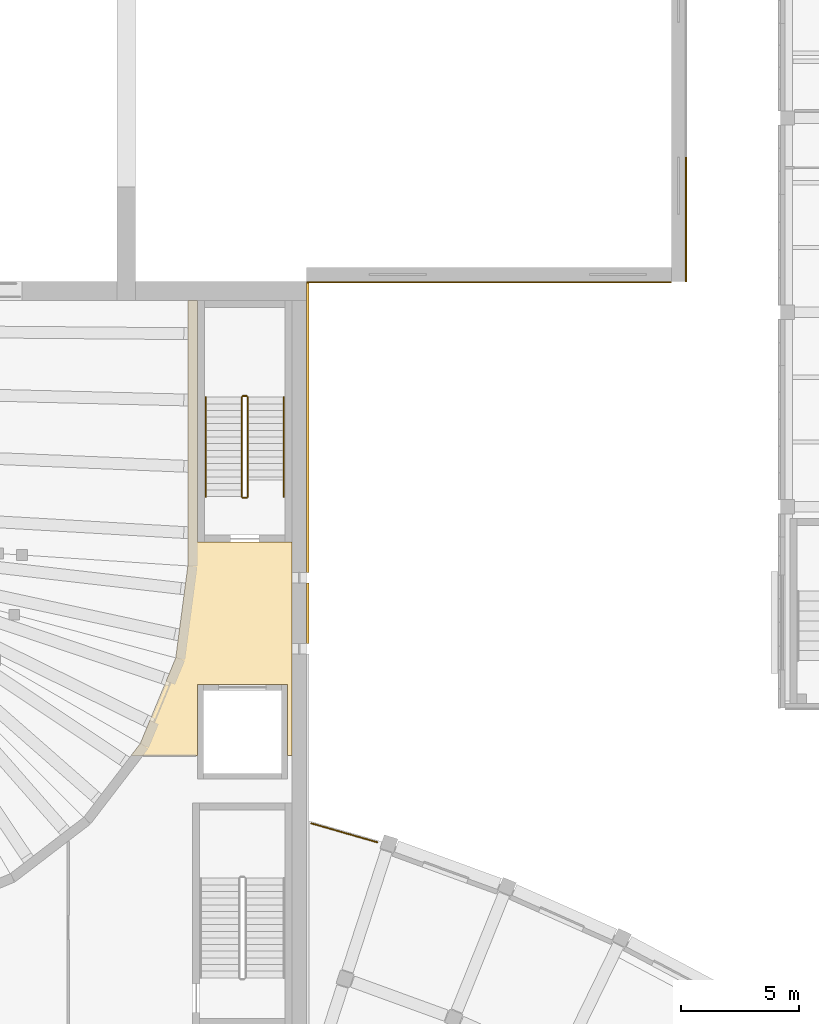
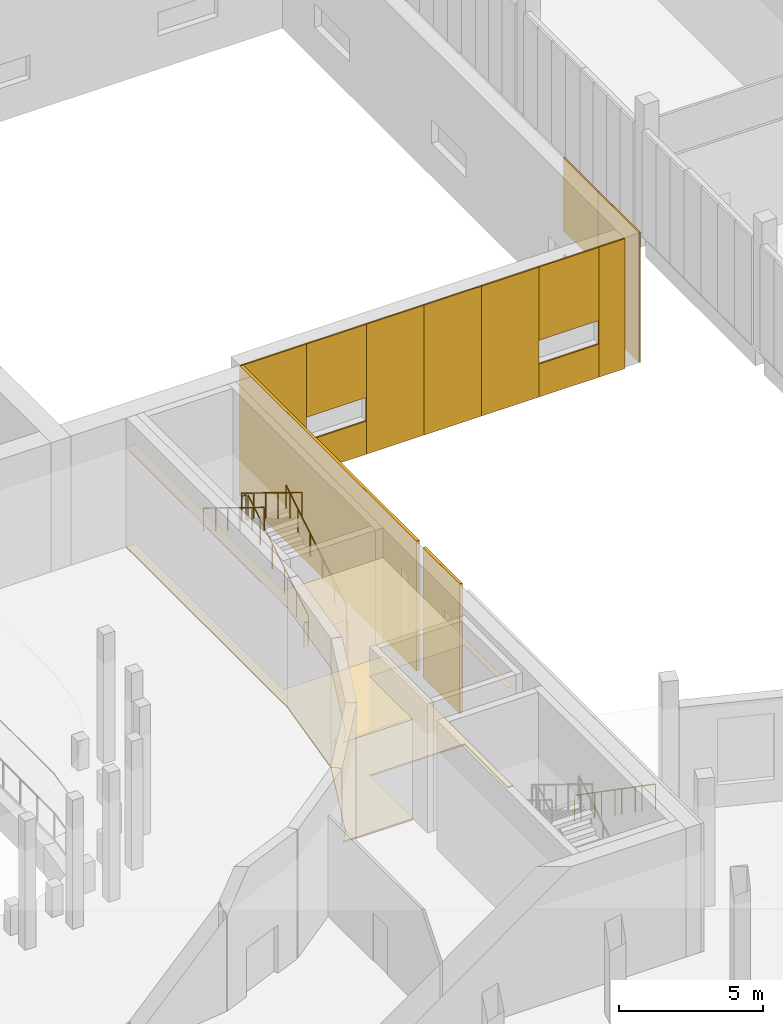
# One storey, part 70 of 87: 16 coverings, 7 railings.
"""IFC4 building model written with IfcOpenShell, lengths in metres."""

from ifc_helpers import new_model, si_unit, direction, frame, origin, origin_2d, place, context, subcontext, project, spatial, polyline, rectangle, circle, outline, extrude, material, layer, layer_set, type_object, element, save


model = new_model("IFC4")

# Units and contexts
model_context = context("Model", 3, precision=1e-05, world=origin(), true_north=direction((0.0, 1.0)))
body_context = subcontext(model_context, "Body", "Model", "MODEL_VIEW")
ifc_project = project(units=[si_unit("LENGTHUNIT", "METRE"), si_unit("AREAUNIT", "SQUARE_METRE"), si_unit("VOLUMEUNIT", "CUBIC_METRE"), si_unit("PLANEANGLEUNIT", "RADIAN"), si_unit("MASSUNIT", "GRAM", prefix="KILO")], contexts=[model_context])

# Site, building, storey
site_placement = place(None, origin())
site = spatial("IfcSite", under=ifc_project, at=site_placement, CompositionType="ELEMENT")
building_placement = place(site_placement, origin())
building = spatial("IfcBuilding", under=site, at=building_placement, Name="Lunette Opera House", CompositionType="ELEMENT")
storey_placement = place(building_placement, frame((0.0, 0.0, 11.5)))
storey = spatial("IfcBuildingStorey", under=building, at=storey_placement, Name="L02", CompositionType="ELEMENT", Elevation=11.5)

# Coverings
ifc_material_1 = material(Name="Clinker brick", Category="masonry")
ifc_layer_1 = layer(ifc_material_1, 0.114990234375)
ifc_layer_set_1 = layer_set([ifc_layer_1], Name="Clinker brick")
covering_type_1 = type_object("IfcCoveringType", Name="CLINKER CLADDING 115", PredefinedType="CLADDING", material=ifc_layer_set_1)
covering_1_placement = place(storey_placement, frame((116.05810546875, 82.0, 0.0), z_axis=(0.0, 0.0, 1.0), x_axis=(1.0, 0.0, 0.0)))
element("IfcCovering", 1, at=covering_1_placement, inside=storey, type_object=covering_type_1, Name="Clinker cladding WE L02 2", PredefinedType="CLADDING", context=body_context, shape_type="SweptSolid", body=[
    extrude(rectangle(XDim=0.114990234375, YDim=2.550048828125, at=origin_2d()), origin(), (0.0, 0.0, 1.0), 5.5),
])
covering_2_placement = place(storey_placement, frame((116.05810546875, 89.862060546875, 0.0), z_axis=(0.0, 0.0, 1.0), x_axis=(1.0, 0.0, 0.0)))
element("IfcCovering", 2, at=covering_2_placement, inside=storey, type_object=covering_type_1, Name="Clinker cladding WE L02 3", PredefinedType="CLADDING", context=body_context, shape_type="SweptSolid", body=[
    extrude(rectangle(XDim=0.114990234375, YDim=12.27490234375, at=origin_2d()), origin(), (0.0, 0.0, 1.0), 5.5),
])

# Railings
ifc_material_2 = material(Name="Steel S355", Category="steel")
railing_type_1 = type_object("IfcRailingType", Name="DECK GUARD 1100", PredefinedType="GUARDRAIL", material=ifc_material_2)
railing_1_placement = place(storey_placement, frame((118.998046875, 72.3359375, 0.0)))
element("IfcRailing", 3, at=railing_1_placement, inside=storey, type_object=railing_type_1, Name="Deck guard 019", PredefinedType="GUARDRAIL", context=body_context, shape_type="SweptSolid", body=[
    extrude(circle(Radius=0.02392578125, at=origin_2d()), frame((0.0, 0.0, 1.076171875), z_axis=(-0.960738135556, 0.277456726155, 0.0), x_axis=(-0.277456726155, -0.960738135556, 0.0)), (0.0, 0.0, 1.0), 0.483154296875),
    extrude(circle(Radius=0.02392578125, at=origin_2d()), frame((-0.464111328125, 0.134033203125, 1.076171875), z_axis=(-0.962206045824, 0.272322465799, 0.0), x_axis=(-0.272322465799, -0.962206045824, 0.0)), (0.0, 0.0, 1.0), 0.241943359375),
    extrude(circle(Radius=0.02392578125, at=origin_2d()), frame((-0.697021484375, 0.199951171875, 1.076171875), z_axis=(-0.960738135556, 0.277456726155, 0.0), x_axis=(-0.277456726155, -0.960738135556, 0.0)), (0.0, 0.0, 1.0), 0.483154296875),
    extrude(circle(Radius=0.02392578125, at=origin_2d()), frame((-1.1611328125, 0.333984375, 1.076171875), z_axis=(-0.961941381411, 0.273255885076, 0.0), x_axis=(-0.273255885076, -0.961941381411, 0.0)), (0.0, 0.0, 1.0), 0.2421875),
    extrude(circle(Radius=0.02392578125, at=origin_2d()), frame((-1.39404296875, 0.400146484375, 1.076171875), z_axis=(-0.960738135556, 0.277456726155, 0.0), x_axis=(-0.277456726155, -0.960738135556, 0.0)), (0.0, 0.0, 1.0), 0.483154296875),
    extrude(circle(Radius=0.02392578125, at=origin_2d()), frame((-1.858154296875, 0.5341796875, 1.076171875), z_axis=(-0.962206045824, 0.272322465799, 0.0), x_axis=(-0.272322465799, -0.962206045824, 0.0)), (0.0, 0.0, 1.0), 0.241943359375),
    extrude(circle(Radius=0.02392578125, at=origin_2d()), frame((-2.091064453125, 0.60009765625, 1.076171875), z_axis=(-0.960699201485, 0.277591506113, 0.0), x_axis=(-0.277591506113, -0.960699201485, 0.0)), (0.0, 0.0, 1.0), 0.48291015625),
    extrude(circle(Radius=0.02392578125, at=origin_2d()), frame((-2.554931640625, 0.734130859375, 1.076171875), z_axis=(-0.962280734503, 0.272058427556, 0.0), x_axis=(-0.272058427556, -0.962280734503, 0.0)), (0.0, 0.0, 1.0), 0.2421875),
    extrude(circle(Radius=0.02099609375, at=origin_2d()), origin(), (0.0, 0.0, 1.0), 1.052001953125),
    extrude(circle(Radius=0.02099609375, at=origin_2d()), frame((-0.464111328125, 0.134033203125, 0.0)), (0.0, 0.0, 1.0), 1.052001953125),
    extrude(circle(Radius=0.02099609375, at=origin_2d()), frame((-0.697021484375, 0.199951171875, 0.0)), (0.0, 0.0, 1.0), 1.052001953125),
    extrude(circle(Radius=0.02099609375, at=origin_2d()), frame((-1.1611328125, 0.333984375, 0.0)), (0.0, 0.0, 1.0), 1.052001953125),
    extrude(circle(Radius=0.02099609375, at=origin_2d()), frame((-1.39404296875, 0.400146484375, 0.0)), (0.0, 0.0, 1.0), 1.052001953125),
    extrude(circle(Radius=0.02099609375, at=origin_2d()), frame((-1.858154296875, 0.5341796875, 0.0)), (0.0, 0.0, 1.0), 1.052001953125),
    extrude(circle(Radius=0.02099609375, at=origin_2d()), frame((-2.091064453125, 0.60009765625, 0.0)), (0.0, 0.0, 1.0), 1.052001953125),
    extrude(circle(Radius=0.02099609375, at=origin_2d()), frame((-2.554931640625, 0.734130859375, 0.0)), (0.0, 0.0, 1.0), 1.052001953125),
    extrude(circle(Radius=0.02099609375, at=origin_2d()), frame((-2.7880859375, 0.800048828125, 0.0)), (0.0, 0.0, 1.0), 1.052001953125),
])
ifc_material_3 = material(Name="Steel S355", Category="steel")
railing_type_2 = type_object("IfcRailingType", Name="STAIR GUARD 1100", PredefinedType="GUARDRAIL", material=ifc_material_3)
railing_2_placement = place(storey_placement, frame((113.530029296875, 86.919921875, 0.171875)))
element("IfcRailing", 4, at=railing_2_placement, inside=storey, type_object=railing_type_2, Name="L02 ST9 stair guard 1", PredefinedType="GUARDRAIL", context=body_context, shape_type="SweptSolid", body=[
    extrude(circle(Radius=0.02392578125, at=origin_2d()), frame((0.0, 0.0, 1.076171875), z_axis=(0.0, 0.852256472501, 0.523124177495), x_axis=(-1.0, 0.0, 0.0)), (0.0, 0.0, 1.0), 4.92822265625),
    extrude(circle(Radius=0.02099609375, at=origin_2d()), origin(), (0.0, 0.0, 1.0), 1.052001953125),
    extrude(circle(Radius=0.02099609375, at=origin_2d()), frame((0.0, 0.840087890625, 0.515625)), (0.0, 0.0, 1.0), 1.052001953125),
    extrude(circle(Radius=0.02099609375, at=origin_2d()), frame((0.0, 1.68017578125, 1.03125)), (0.0, 0.0, 1.0), 1.052001953125),
    extrude(circle(Radius=0.02099609375, at=origin_2d()), frame((0.0, 2.52001953125, 1.546875)), (0.0, 0.0, 1.0), 1.052001953125),
    extrude(circle(Radius=0.02099609375, at=origin_2d()), frame((0.0, 3.360107421875, 2.0625)), (0.0, 0.0, 1.0), 1.052001953125),
    extrude(circle(Radius=0.02099609375, at=origin_2d()), frame((0.0, 4.2001953125, 2.578125)), (0.0, 0.0, 1.0), 1.052001953125),
])
railing_3_placement = place(storey_placement, frame((113.47998046875, 91.169921875, 2.75)))
element("IfcRailing", 5, at=railing_3_placement, inside=storey, type_object=railing_type_2, Name="L02 ST9 stair guard 2", PredefinedType="GUARDRAIL", context=body_context, shape_type="SweptSolid", body=[
    extrude(circle(Radius=0.02392578125, at=origin_2d()), frame((0.0, 0.0, 1.076171875), z_axis=(-1.0, 0.0, 0.0), x_axis=(0.0, -1.0, 0.0)), (0.0, 0.0, 1.0), 0.159912109375),
    extrude(circle(Radius=0.02099609375, at=origin_2d()), origin(), (0.0, 0.0, 1.0), 1.052001953125),
    extrude(circle(Radius=0.02099609375, at=origin_2d()), frame((-0.159912109375, 0.0, 0.0)), (0.0, 0.0, 1.0), 1.052001953125),
])
railing_4_placement = place(storey_placement, frame((113.27001953125, 91.1201171875, 2.921875)))
element("IfcRailing", 6, at=railing_4_placement, inside=storey, type_object=railing_type_2, Name="L02 ST9 stair guard 3", PredefinedType="GUARDRAIL", context=body_context, shape_type="SweptSolid", body=[
    extrude(circle(Radius=0.02392578125, at=origin_2d()), frame((0.0, 0.0, 1.076171875), z_axis=(0.0, -0.852256472501, 0.523124177495), x_axis=(1.0, 0.0, 0.0)), (0.0, 0.0, 1.0), 4.92822265625),
    extrude(circle(Radius=0.02099609375, at=origin_2d()), origin(), (0.0, 0.0, 1.0), 1.052001953125),
    extrude(circle(Radius=0.02099609375, at=origin_2d()), frame((0.0, -0.840087890625, 0.515625)), (0.0, 0.0, 1.0), 1.052001953125),
    extrude(circle(Radius=0.02099609375, at=origin_2d()), frame((0.0, -1.68017578125, 1.03125)), (0.0, 0.0, 1.0), 1.052001953125),
    extrude(circle(Radius=0.02099609375, at=origin_2d()), frame((0.0, -2.52001953125, 1.546875)), (0.0, 0.0, 1.0), 1.052001953125),
    extrude(circle(Radius=0.02099609375, at=origin_2d()), frame((0.0, -3.360107421875, 2.0625)), (0.0, 0.0, 1.0), 1.052001953125),
    extrude(circle(Radius=0.02099609375, at=origin_2d()), frame((0.0, -4.2001953125, 2.578125)), (0.0, 0.0, 1.0), 1.052001953125),
])
railing_5_placement = place(storey_placement, frame((113.47998046875, 86.8701171875, 0.0)))
element("IfcRailing", 7, at=railing_5_placement, inside=storey, type_object=railing_type_2, Name="L02 ST9 stair guard 4", PredefinedType="GUARDRAIL", context=body_context, shape_type="SweptSolid", body=[
    extrude(circle(Radius=0.02392578125, at=origin_2d()), frame((0.0, 0.0, 1.076171875), z_axis=(-1.0, 0.0, 0.0), x_axis=(0.0, -1.0, 0.0)), (0.0, 0.0, 1.0), 0.159912109375),
    extrude(circle(Radius=0.02099609375, at=origin_2d()), origin(), (0.0, 0.0, 1.0), 1.052001953125),
    extrude(circle(Radius=0.02099609375, at=origin_2d()), frame((-0.159912109375, 0.0, 0.0)), (0.0, 0.0, 1.0), 1.052001953125),
])
ifc_material_4 = material(Name="Steel S355", Category="steel")
railing_type_3 = type_object("IfcRailingType", Name="STAIR HANDRAIL 1000", PredefinedType="HANDRAIL", material=ifc_material_4)
railing_6_placement = place(storey_placement, frame((115.050048828125, 86.919921875, 0.171875)))
element("IfcRailing", 8, at=railing_6_placement, inside=storey, type_object=railing_type_3, Name="L02 ST9 stair handrail 1", PredefinedType="HANDRAIL", context=body_context, shape_type="SweptSolid", body=[
    extrude(circle(Radius=0.02392578125, at=origin_2d()), frame((0.0, 0.0, 0.97607421875), z_axis=(0.0, 0.852256472501, 0.523124177495), x_axis=(-1.0, 0.0, 0.0)), (0.0, 0.0, 1.0), 4.92822265625),
    extrude(circle(Radius=0.02099609375, at=origin_2d()), origin(), (0.0, 0.0, 1.0), 0.951904296875),
    extrude(circle(Radius=0.02099609375, at=origin_2d()), frame((0.0, 0.840087890625, 0.515625)), (0.0, 0.0, 1.0), 0.951904296875),
    extrude(circle(Radius=0.02099609375, at=origin_2d()), frame((0.0, 1.68017578125, 1.03125)), (0.0, 0.0, 1.0), 0.951904296875),
    extrude(circle(Radius=0.02099609375, at=origin_2d()), frame((0.0, 2.52001953125, 1.546875)), (0.0, 0.0, 1.0), 0.951904296875),
    extrude(circle(Radius=0.02099609375, at=origin_2d()), frame((0.0, 3.360107421875, 2.0625)), (0.0, 0.0, 1.0), 0.951904296875),
    extrude(circle(Radius=0.02099609375, at=origin_2d()), frame((0.0, 4.2001953125, 2.578125)), (0.0, 0.0, 1.0), 0.951904296875),
])
railing_7_placement = place(storey_placement, frame((111.75, 91.1201171875, 2.921875)))
element("IfcRailing", 9, at=railing_7_placement, inside=storey, type_object=railing_type_3, Name="L02 ST9 stair handrail 2", PredefinedType="HANDRAIL", context=body_context, shape_type="SweptSolid", body=[
    extrude(circle(Radius=0.02392578125, at=origin_2d()), frame((0.0, 0.0, 0.97607421875), z_axis=(0.0, -0.852256472501, 0.523124177495), x_axis=(1.0, 0.0, 0.0)), (0.0, 0.0, 1.0), 4.92822265625),
    extrude(circle(Radius=0.02099609375, at=origin_2d()), origin(), (0.0, 0.0, 1.0), 0.951904296875),
    extrude(circle(Radius=0.02099609375, at=origin_2d()), frame((0.0, -0.840087890625, 0.515625)), (0.0, 0.0, 1.0), 0.951904296875),
    extrude(circle(Radius=0.02099609375, at=origin_2d()), frame((0.0, -1.68017578125, 1.03125)), (0.0, 0.0, 1.0), 0.951904296875),
    extrude(circle(Radius=0.02099609375, at=origin_2d()), frame((0.0, -2.52001953125, 1.546875)), (0.0, 0.0, 1.0), 0.951904296875),
    extrude(circle(Radius=0.02099609375, at=origin_2d()), frame((0.0, -3.360107421875, 2.0625)), (0.0, 0.0, 1.0), 0.951904296875),
    extrude(circle(Radius=0.02099609375, at=origin_2d()), frame((0.0, -4.2001953125, 2.578125)), (0.0, 0.0, 1.0), 0.951904296875),
])

# Coverings
ifc_material_5 = material(Name="Aluminium standing seam cladding", Category="aluminium")
ifc_layer_2 = layer(ifc_material_5, 0.06005859375)
ifc_layer_set_2 = layer_set([ifc_layer_2], Name="Aluminium standing seam cladding")
covering_type_2 = type_object("IfcCoveringType", Name="STANDING SEAM CLADDING 60", PredefinedType="CLADDING", material=ifc_layer_set_2)
covering_3_placement = place(storey_placement, frame((132.030029296875, 97.425048828125, 0.0), z_axis=(0.0, 0.0, 1.0), x_axis=(0.0, 1.0, 0.0)))
element("IfcCovering", 10, at=covering_3_placement, inside=storey, type_object=covering_type_2, Name="Standing seam cladding SE-E-1 L02 00", PredefinedType="CLADDING", context=body_context, shape_type="SweptSolid", body=[
    extrude(rectangle(XDim=2.85009765625, YDim=0.06005859375, at=origin_2d()), origin(), (0.0, 0.0, 1.0), 5.5),
])
covering_4_placement = place(storey_placement, frame((132.030029296875, 100.050048828125, 0.0), z_axis=(0.0, 0.0, 1.0), x_axis=(0.0, 1.0, 0.0)))
element("IfcCovering", 11, at=covering_4_placement, inside=storey, type_object=covering_type_2, Name="Standing seam cladding SE-E-1 L02 10", PredefinedType="CLADDING", context=body_context, shape_type="SweptSolid", body=[
    extrude(rectangle(XDim=2.39990234375, YDim=0.06005859375, at=origin_2d()), origin(), (0.0, 0.0, 1.0), 1.39990234375),
])
covering_5_placement = place(storey_placement, frame((132.030029296875, 100.050048828125, 2.39990234375), z_axis=(0.0, 0.0, 1.0), x_axis=(0.0, 1.0, 0.0)))
element("IfcCovering", 12, at=covering_5_placement, inside=storey, type_object=covering_type_2, Name="Standing seam cladding SE-E-1 L02 11", PredefinedType="CLADDING", context=body_context, shape_type="SweptSolid", body=[
    extrude(rectangle(XDim=2.39990234375, YDim=0.06005859375, at=origin_2d()), origin(), (0.0, 0.0, 1.0), 3.10009765625),
])
covering_6_placement = place(storey_placement, frame((117.333984375, 95.969970703125, 0.0), z_axis=(0.0, 0.0, 1.0), x_axis=(1.0, 0.0, 0.0)))
element("IfcCovering", 13, at=covering_6_placement, inside=storey, type_object=covering_type_2, Name="Standing seam cladding SE-S-1 L02 00", PredefinedType="CLADDING", context=body_context, shape_type="SweptSolid", body=[
    extrude(rectangle(XDim=2.64697265625, YDim=0.06005859375, at=origin_2d()), origin(), (0.0, 0.0, 1.0), 5.5),
])
covering_7_placement = place(storey_placement, frame((119.85791015625, 95.969970703125, 0.0), z_axis=(0.0, 0.0, 1.0), x_axis=(1.0, 0.0, 0.0)))
element("IfcCovering", 14, at=covering_7_placement, inside=storey, type_object=covering_type_2, Name="Standing seam cladding SE-S-1 L02 10", PredefinedType="CLADDING", context=body_context, shape_type="SweptSolid", body=[
    extrude(rectangle(XDim=2.39990234375, YDim=0.06005859375, at=origin_2d()), origin(), (0.0, 0.0, 1.0), 1.39990234375),
])
covering_8_placement = place(storey_placement, frame((119.85791015625, 95.969970703125, 2.39990234375), z_axis=(0.0, 0.0, 1.0), x_axis=(1.0, 0.0, 0.0)))
element("IfcCovering", 15, at=covering_8_placement, inside=storey, type_object=covering_type_2, Name="Standing seam cladding SE-S-1 L02 11", PredefinedType="CLADDING", context=body_context, shape_type="SweptSolid", body=[
    extrude(rectangle(XDim=2.39990234375, YDim=0.06005859375, at=origin_2d()), origin(), (0.0, 0.0, 1.0), 3.10009765625),
])
covering_9_placement = place(storey_placement, frame((122.20703125, 95.969970703125, 0.0), z_axis=(0.0, 0.0, 1.0), x_axis=(1.0, 0.0, 0.0)))
element("IfcCovering", 16, at=covering_9_placement, inside=storey, type_object=covering_type_2, Name="Standing seam cladding SE-S-1 L02 20", PredefinedType="CLADDING", context=body_context, shape_type="SweptSolid", body=[
    extrude(rectangle(XDim=2.298095703125, YDim=0.06005859375, at=origin_2d()), origin(), (0.0, 0.0, 1.0), 5.5),
])
for number, where, z_axis, x_axis, name in (
    (17, (124.5048828125, 95.969970703125, 0.0), (0.0, 0.0, 1.0), (1.0, 0.0, 0.0), "Standing seam cladding SE-S-1 L02 21"),
    (18, (126.803955078125, 95.969970703125, 0.0), (0.0, 0.0, 1.0), (1.0, 0.0, 0.0), "Standing seam cladding SE-S-1 L02 22"),
):
    element("IfcCovering", number, at=place(storey_placement, frame(where, z_axis=z_axis, x_axis=x_axis)), inside=storey, type_object=covering_type_2, Name=name, PredefinedType="CLADDING", context=body_context, shape_type="SweptSolid", body=[
        extrude(rectangle(XDim=2.299072265625, YDim=0.06005859375, at=origin_2d()), origin(), (0.0, 0.0, 1.0), 5.5),
    ])
covering_10_placement = place(storey_placement, frame((129.153076171875, 95.969970703125, 0.0), z_axis=(0.0, 0.0, 1.0), x_axis=(1.0, 0.0, 0.0)))
element("IfcCovering", 19, at=covering_10_placement, inside=storey, type_object=covering_type_2, Name="Standing seam cladding SE-S-1 L02 30", PredefinedType="CLADDING", context=body_context, shape_type="SweptSolid", body=[
    extrude(rectangle(XDim=2.39990234375, YDim=0.06005859375, at=origin_2d()), origin(), (0.0, 0.0, 1.0), 1.39990234375),
])
covering_11_placement = place(storey_placement, frame((129.153076171875, 95.969970703125, 2.39990234375), z_axis=(0.0, 0.0, 1.0), x_axis=(1.0, 0.0, 0.0)))
element("IfcCovering", 20, at=covering_11_placement, inside=storey, type_object=covering_type_2, Name="Standing seam cladding SE-S-1 L02 31", PredefinedType="CLADDING", context=body_context, shape_type="SweptSolid", body=[
    extrude(rectangle(XDim=2.39990234375, YDim=0.06005859375, at=origin_2d()), origin(), (0.0, 0.0, 1.0), 3.10009765625),
])
covering_12_placement = place(storey_placement, frame((130.8759765625, 95.969970703125, 0.0), z_axis=(0.0, 0.0, 1.0), x_axis=(1.0, 0.0, 0.0)))
element("IfcCovering", 21, at=covering_12_placement, inside=storey, type_object=covering_type_2, Name="Standing seam cladding SE-S-1 L02 40", PredefinedType="CLADDING", context=body_context, shape_type="SweptSolid", body=[
    extrude(rectangle(XDim=1.047119140625, YDim=0.06005859375, at=origin_2d()), origin(), (0.0, 0.0, 1.0), 5.5),
])
ifc_material_6 = material(Name="Mineral fibre board")
ifc_layer_3 = layer(ifc_material_6, 0.014892578125)
ifc_layer_set_3 = layer_set([ifc_layer_3], Name="Mineral fibre board")
covering_type_3 = type_object("IfcCoveringType", Name="SUSPENDED ACOUSTIC CEILING 15", PredefinedType="CEILING", material=ifc_layer_set_3)
covering_13_placement = place(storey_placement, frame((0.0, 0.0, 4.235107421875)))
element("IfcCovering", 22, at=covering_13_placement, inside=storey, type_object=covering_type_3, Name="Ceiling First Tier Promenade East", PredefinedType="CEILING", context=body_context, shape_type="SweptSolid", body=[
    extrude(outline(polyline([(110.489013671875, 80.117919921875), (111.0, 84.0), (111.0, 95.199951171875), (111.39990234375, 95.199951171875), (111.39990234375, 85.0), (115.39990234375, 85.0), (115.39990234375, 76.0), (115.199951171875, 76.0), (115.199951171875, 79.0), (111.39990234375, 79.0), (111.39990234375, 76.0), (108.60693359375, 76.0), (108.989990234375, 76.5), (110.489013671875, 80.117919921875)])), origin(), (0.0, 0.0, 1.0), 0.014892578125),
])
ifc_material_7 = material(Name="Terrazzo")
ifc_layer_4 = layer(ifc_material_7, 0.06005859375)
ifc_layer_set_4 = layer_set([ifc_layer_4], Name="Terrazzo")
covering_type_4 = type_object("IfcCoveringType", Name="TERRAZZO FLOOR FINISH 60", PredefinedType="FLOORING", material=ifc_layer_set_4)
covering_14_placement = place(storey_placement, origin())
element("IfcCovering", 23, at=covering_14_placement, inside=storey, type_object=covering_type_4, Name="Floor finish First Tier Promenade East", PredefinedType="FLOORING", context=body_context, shape_type="SweptSolid", body=[
    extrude(outline(polyline([(110.489013671875, 80.117919921875), (111.0, 84.0), (111.0, 95.199951171875), (111.39990234375, 95.199951171875), (111.39990234375, 85.0), (115.39990234375, 85.0), (115.39990234375, 76.0), (115.199951171875, 76.0), (115.199951171875, 79.0), (111.39990234375, 79.0), (111.39990234375, 76.0), (108.60693359375, 76.0), (108.989990234375, 76.5), (110.489013671875, 80.117919921875)])), origin(), (0.0, 0.0, 1.0), 0.06005859375),
])

save(model, "model.ifc")
